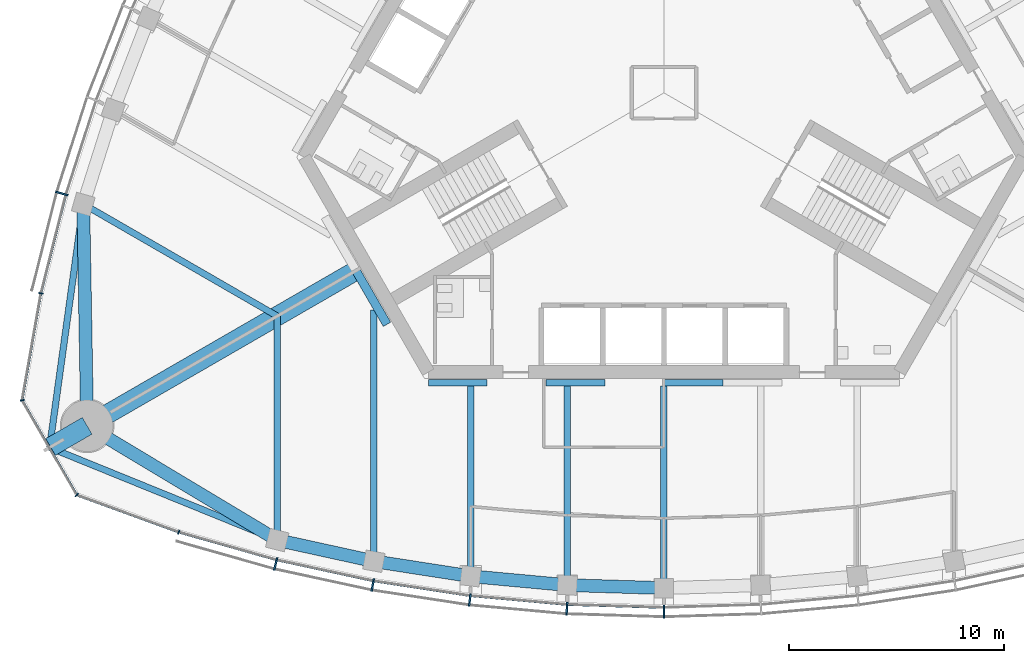
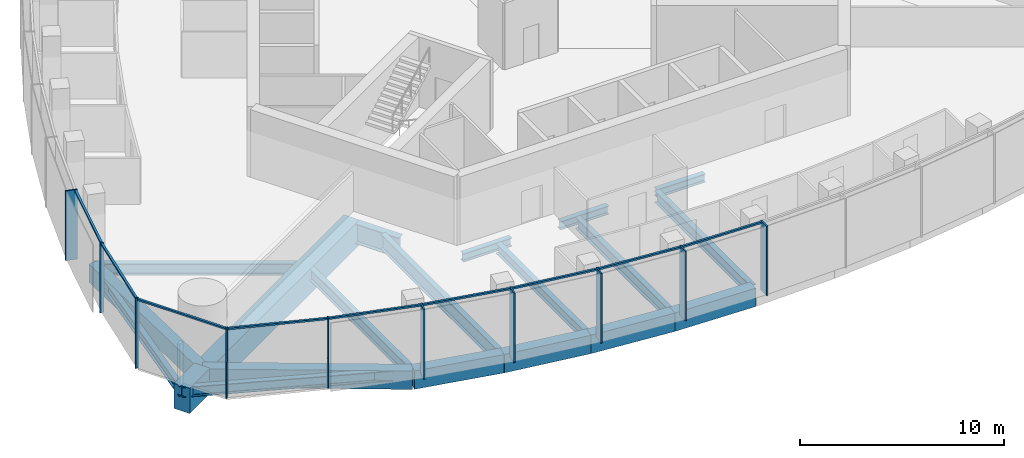
# One storey, part 2 of 16: 20 beams, 19 members, 3 elements without a shape of their own.
"""IFC4 building model written with IfcOpenShell, lengths in metres."""

from ifc_helpers import new_model, si_unit, direction, frame, origin, origin_2d, place, context, subcontext, project, spatial, rectangle, i_section, extrude, material, material_profile, profile_set, type_object, element, aggregate, save


model = new_model("IFC4")

# Units and contexts
model_context = context("Model", 3, precision=1e-05, world=origin(), true_north=direction((0.0, 1.0)))
body_context = subcontext(model_context, "Body", "Model", "MODEL_VIEW")
ifc_project = project(units=[si_unit("LENGTHUNIT", "METRE"), si_unit("AREAUNIT", "SQUARE_METRE"), si_unit("VOLUMEUNIT", "CUBIC_METRE"), si_unit("PLANEANGLEUNIT", "RADIAN"), si_unit("MASSUNIT", "GRAM", prefix="KILO")], contexts=[model_context])

# Site, building, storey
site_placement = place(None, origin())
site = spatial("IfcSite", under=ifc_project, at=site_placement, CompositionType="ELEMENT")
building_placement = place(site_placement, origin())
building = spatial("IfcBuilding", under=site, at=building_placement, Name="Trefoil Bronze Tower", CompositionType="ELEMENT")
storey_placement = place(building_placement, frame((0.0, 0.0, 301.5)))
storey = spatial("IfcBuildingStorey", under=building, at=storey_placement, Name="L69", CompositionType="ELEMENT", Elevation=301.5)

# Curtain wall, members
ifc_material_1 = material(Name="Tinted solar-control glass", Category="glass")
curtain_wall_type_1 = type_object("IfcCurtainWallType", Name="Bronze office curtain wall", PredefinedType="USERDEFINED", material=ifc_material_1)
curtain_wall_1_placement = place(storey_placement, origin())
curtain_wall_1 = element("IfcCurtainWall", 1, at=curtain_wall_1_placement, inside=storey, type_object=curtain_wall_type_1, Name="CW-A L69 F1", ObjectType="CURTAIN WALL", PredefinedType="USERDEFINED")
ifc_material_2 = material(Name="Bronze-finish aluminium", Category="aluminium")
ifc_material_profile_1 = material_profile(ifc_material_2, rectangle(XDim=0.60009765625, YDim=0.080078125, at=origin_2d()), Name="CW-A mullion")
ifc_profile_set_1 = profile_set([ifc_material_profile_1], Name="Bronze-finish aluminium")
member_type_1 = type_object("IfcMemberType", Name="Bronze office curtain wall mullion", PredefinedType="MULLION", material=ifc_profile_set_1)
member_1_placement = place(storey_placement, frame((-18.07275390625, -21.931884765625, 0.0), z_axis=(0.0, 0.0, 1.0), x_axis=(0.242394494031, 0.97017777199, 0.0)))
member_1 = element("IfcMember", 2, at=member_1_placement, type_object=member_type_1, Name="CW-A L69 F1 mullion 2", PredefinedType="MULLION", context=body_context, shape_type="SweptSolid", body=[
    extrude(rectangle(XDim=0.60009765625, YDim=0.080078125, at=origin_2d()), origin(), (0.0, 0.0, 1.0), 4.179931640625),
])
member_2_placement = place(storey_placement, frame((-13.554443359375, -22.911376953125, 0.0), z_axis=(0.0, 0.0, 1.0), x_axis=(0.181667218242, 0.983360067227, 0.0)))
member_2 = element("IfcMember", 3, at=member_2_placement, type_object=member_type_1, Name="CW-A L69 F1 mullion 3", PredefinedType="MULLION", context=body_context, shape_type="SweptSolid", body=[
    extrude(rectangle(XDim=0.60009765625, YDim=0.080078125, at=origin_2d()), origin(), (0.0, 0.0, 1.0), 4.179931640625),
])
member_3_placement = place(storey_placement, frame((-9.036376953125, -23.602783203125, 0.0), z_axis=(0.0, 0.0, 1.0), x_axis=(0.121109330868, 0.992639174109, 0.0)))
member_3 = element("IfcMember", 4, at=member_3_placement, type_object=member_type_1, Name="CW-A L69 F1 mullion 4", PredefinedType="MULLION", context=body_context, shape_type="SweptSolid", body=[
    extrude(rectangle(XDim=0.60009765625, YDim=0.080078125, at=origin_2d()), origin(), (0.0, 0.0, 1.0), 4.179931640625),
])
member_4_placement = place(storey_placement, frame((-4.51806640625, -24.014892578125, 0.0), z_axis=(0.0, 0.0, 1.0), x_axis=(0.060554040199, 0.998164920349, 0.0)))
member_4 = element("IfcMember", 5, at=member_4_placement, type_object=member_type_1, Name="CW-A L69 F1 mullion 5", PredefinedType="MULLION", context=body_context, shape_type="SweptSolid", body=[
    extrude(rectangle(XDim=0.60009765625, YDim=0.080078125, at=origin_2d()), origin(), (0.0, 0.0, 1.0), 4.179931640625),
])
member_5_placement = place(storey_placement, frame((0.0, -24.151611328125, 0.0), z_axis=(0.0, 0.0, 1.0), x_axis=(0.0, 1.0, 0.0)))
member_5 = element("IfcMember", 6, at=member_5_placement, type_object=member_type_1, Name="CW-A L69 F1 mullion 6", PredefinedType="MULLION", context=body_context, shape_type="SweptSolid", body=[
    extrude(rectangle(XDim=0.60009765625, YDim=0.080078125, at=origin_2d()), origin(), (0.0, 0.0, 1.0), 4.179931640625),
])

# Curtain wall, member
curtain_wall_2_placement = place(storey_placement, origin())
curtain_wall_2 = element("IfcCurtainWall", 7, at=curtain_wall_2_placement, inside=storey, type_object=curtain_wall_type_1, Name="CW-A L69 F3", ObjectType="CURTAIN WALL", PredefinedType="USERDEFINED")
member_6_placement = place(storey_placement, frame((-28.02978515625, -4.685546875, 0.0), z_axis=(0.0, 0.0, 1.0), x_axis=(0.961395843746, -0.275169096426, 0.0)))
member_6 = element("IfcMember", 8, at=member_6_placement, type_object=member_type_1, Name="CW-A L69 F3 mullion 10", PredefinedType="MULLION", context=body_context, shape_type="SweptSolid", body=[
    extrude(rectangle(XDim=0.60009765625, YDim=0.080078125, at=origin_2d()), origin(), (0.0, 0.0, 1.0), 4.179931640625),
])

# Member
ifc_material_3 = material(Name="Bronze-finish aluminium", Category="aluminium")
ifc_material_profile_2 = material_profile(ifc_material_3, rectangle(XDim=0.1201171875, YDim=0.10009765625, at=origin_2d()), Name="CW-A transom")
ifc_profile_set_2 = profile_set([ifc_material_profile_2], Name="Bronze-finish aluminium")
member_type_2 = type_object("IfcMemberType", Name="Bronze office curtain wall transom", PredefinedType="USERDEFINED", material=ifc_profile_set_2)
member_7_placement = place(storey_placement, frame((-22.537109375, -20.458740234375, 4.1298828125), z_axis=(0.962102611578, -0.272687668944, 0.0), x_axis=(0.272687668944, 0.962102611578, 0.0)))
member_7 = element("IfcMember", 9, at=member_7_placement, type_object=member_type_2, Name="CW-A L69 F1 transom 1", ObjectType="TRANSOM", PredefinedType="USERDEFINED", context=body_context, shape_type="SweptSolid", body=[
    extrude(rectangle(XDim=0.1201171875, YDim=0.10009765625, at=origin_2d()), origin(), (0.0, 0.0, 1.0), 4.6474609375),
])

member_8_placement = place(storey_placement, frame((-17.982177734375, -21.7470703125, 4.1298828125), z_axis=(0.977303780028, -0.211842681117, 0.0), x_axis=(0.211842681117, 0.977303780028, 0.0)))
member_8 = element("IfcMember", 10, at=member_8_placement, type_object=member_type_2, Name="CW-A L69 F1 transom 2", ObjectType="TRANSOM", PredefinedType="USERDEFINED", context=body_context, shape_type="SweptSolid", body=[
    extrude(rectangle(XDim=0.1201171875, YDim=0.10009765625, at=origin_2d()), origin(), (0.0, 0.0, 1.0), 4.524658203125),
])

member_9_placement = place(storey_placement, frame((-13.4755859375, -22.72119140625, 4.1298828125), z_axis=(0.988485016014, -0.151318779787, 0.0), x_axis=(0.151318779787, 0.988485016014, 0.0)))
member_9 = element("IfcMember", 11, at=member_9_placement, type_object=member_type_2, Name="CW-A L69 F1 transom 3", ObjectType="TRANSOM", PredefinedType="USERDEFINED", context=body_context, shape_type="SweptSolid", body=[
    extrude(rectangle(XDim=0.1201171875, YDim=0.10009765625, at=origin_2d()), origin(), (0.0, 0.0, 1.0), 4.472412109375),
])

member_10_placement = place(storey_placement, frame((-8.96923828125, -23.408203125, 4.1298828125), z_axis=(0.995868373079, -0.090808499059, 0.0), x_axis=(0.090808499059, 0.995868373079, 0.0)))
member_10 = element("IfcMember", 12, at=member_10_placement, type_object=member_type_2, Name="CW-A L69 F1 transom 4", ObjectType="TRANSOM", PredefinedType="USERDEFINED", context=body_context, shape_type="SweptSolid", body=[
    extrude(rectangle(XDim=0.1201171875, YDim=0.10009765625, at=origin_2d()), origin(), (0.0, 0.0, 1.0), 4.438720703125),
])

member_11_placement = place(storey_placement, frame((-4.463134765625, -23.81640625, 4.1298828125), z_axis=(0.99954057115, -0.030309183848, 0.0), x_axis=(0.030309183848, 0.99954057115, 0.0)))
member_11 = element("IfcMember", 13, at=member_11_placement, type_object=member_type_2, Name="CW-A L69 F1 transom 5", ObjectType="TRANSOM", PredefinedType="USERDEFINED", context=body_context, shape_type="SweptSolid", body=[
    extrude(rectangle(XDim=0.1201171875, YDim=0.10009765625, at=origin_2d()), origin(), (0.0, 0.0, 1.0), 4.422119140625),
])

aggregate(curtain_wall_1, [member_1, member_2, member_3, member_4, member_5, member_7, member_8, member_9, member_10, member_11])

member_12_placement = place(storey_placement, frame((-27.84814453125, -4.782470703125, 4.1298828125), z_axis=(-0.244908148095, -0.969546285123, 0.0), x_axis=(0.969546285123, -0.244908148095, 0.0)))
member_12 = element("IfcMember", 14, at=member_12_placement, type_object=member_type_2, Name="CW-A L69 F3 transom 10", ObjectType="TRANSOM", PredefinedType="USERDEFINED", context=body_context, shape_type="SweptSolid", body=[
    extrude(rectangle(XDim=0.1201171875, YDim=0.10009765625, at=origin_2d()), origin(), (0.0, 0.0, 1.0), 4.6474609375),
])

aggregate(curtain_wall_2, [member_6, member_12])

# Curtain wall, members
ifc_material_4 = material(Name="Tinted solar-control glass", Category="glass")
curtain_wall_type_2 = type_object("IfcCurtainWallType", Name="Bronze rounded corner curtain wall", PredefinedType="USERDEFINED", material=ifc_material_4)
curtain_wall_3_placement = place(storey_placement, origin())
curtain_wall_3 = element("IfcCurtainWall", 15, at=curtain_wall_3_placement, inside=storey, type_object=curtain_wall_type_2, Name="CW-B L69 K3", ObjectType="CURTAIN WALL", PredefinedType="USERDEFINED")
ifc_material_5 = material(Name="Bronze-finish aluminium", Category="aluminium")
ifc_material_profile_3 = material_profile(ifc_material_5, rectangle(XDim=0.199951171875, YDim=0.06005859375, at=origin_2d()), Name="CW-B mullion")
ifc_profile_set_3 = profile_set([ifc_material_profile_3], Name="Bronze-finish aluminium")
member_type_3 = type_object("IfcMemberType", Name="Bronze rounded corner curtain wall mullion", PredefinedType="MULLION", material=ifc_profile_set_3)
member_13_placement = place(storey_placement, frame((-28.99755859375, -9.334228515625, 0.0), z_axis=(0.0, 0.0, 1.0), x_axis=(0.984807753012, -0.173648177667, 0.0)))
member_13 = element("IfcMember", 16, at=member_13_placement, type_object=member_type_3, Name="CW-B L69 K3 mullion 1", PredefinedType="MULLION", context=body_context, shape_type="SweptSolid", body=[
    extrude(rectangle(XDim=0.199951171875, YDim=0.06005859375, at=origin_2d()), origin(), (0.0, 0.0, 1.0), 4.179931640625),
])
member_14_placement = place(storey_placement, frame((-29.86865234375, -14.30908203125, 0.0), z_axis=(0.0, 0.0, 1.0), x_axis=(0.984807753012, 0.173648177667, 0.0)))
member_14 = element("IfcMember", 17, at=member_14_placement, type_object=member_type_3, Name="CW-B L69 K3 mullion 2", PredefinedType="MULLION", context=body_context, shape_type="SweptSolid", body=[
    extrude(rectangle(XDim=0.199951171875, YDim=0.06005859375, at=origin_2d()), origin(), (0.0, 0.0, 1.0), 4.179931640625),
])
member_15_placement = place(storey_placement, frame((-27.326416015625, -18.712646484375, 0.0), z_axis=(0.0, 0.0, 1.0), x_axis=(0.642787609687, 0.766044443119, 0.0)))
member_15 = element("IfcMember", 18, at=member_15_placement, type_object=member_type_3, Name="CW-B L69 K3 mullion 3", PredefinedType="MULLION", context=body_context, shape_type="SweptSolid", body=[
    extrude(rectangle(XDim=0.199951171875, YDim=0.06005859375, at=origin_2d()), origin(), (0.0, 0.0, 1.0), 4.179931640625),
])
member_16_placement = place(storey_placement, frame((-22.58251953125, -20.445556640625, 0.0), z_axis=(0.0, 0.0, 1.0), x_axis=(0.342020143326, 0.939692620786, 0.0)))
member_16 = element("IfcMember", 19, at=member_16_placement, type_object=member_type_3, Name="CW-B L69 K3 mullion 4", PredefinedType="MULLION", context=body_context, shape_type="SweptSolid", body=[
    extrude(rectangle(XDim=0.199951171875, YDim=0.06005859375, at=origin_2d()), origin(), (0.0, 0.0, 1.0), 4.179931640625),
])
ifc_material_6 = material(Name="Bronze-finish aluminium", Category="aluminium")
ifc_material_profile_4 = material_profile(ifc_material_6, rectangle(XDim=0.1201171875, YDim=0.10009765625, at=origin_2d()), Name="CW-B transom")
ifc_profile_set_4 = profile_set([ifc_material_profile_4], Name="Bronze-finish aluminium")
member_type_4 = type_object("IfcMemberType", Name="Bronze rounded corner curtain wall transom", PredefinedType="USERDEFINED", material=ifc_profile_set_4)
member_17_placement = place(storey_placement, frame((-29.0029296875, -9.36376953125, 4.1298828125), z_axis=(-0.173633591509, -0.984810324834, 0.0), x_axis=(0.984810324834, -0.173633591509, 0.0)))
member_17 = element("IfcMember", 20, at=member_17_placement, type_object=member_type_4, Name="CW-B L69 K3 transom 1", ObjectType="TRANSOM", PredefinedType="USERDEFINED", context=body_context, shape_type="SweptSolid", body=[
    extrude(rectangle(XDim=0.1201171875, YDim=0.10009765625, at=origin_2d()), origin(), (0.0, 0.0, 1.0), 4.956298828125),
])
member_18_placement = place(storey_placement, frame((-29.841796875, -14.36767578125, 4.1298828125), z_axis=(0.499985403706, -0.866033830794, 0.0), x_axis=(0.866033830794, 0.499985403706, 0.0)))
member_18 = element("IfcMember", 21, at=member_18_placement, type_object=member_type_4, Name="CW-B L69 K3 transom 2", ObjectType="TRANSOM", PredefinedType="USERDEFINED", context=body_context, shape_type="SweptSolid", body=[
    extrude(rectangle(XDim=0.1201171875, YDim=0.10009765625, at=origin_2d()), origin(), (0.0, 0.0, 1.0), 4.956298828125),
])
member_19_placement = place(storey_placement, frame((-27.26806640625, -18.740234375, 4.1298828125), z_axis=(0.93969990549, -0.342000128103, 0.0), x_axis=(0.342000128103, 0.93969990549, 0.0)))
member_19 = element("IfcMember", 22, at=member_19_placement, type_object=member_type_4, Name="CW-B L69 K3 transom 3", ObjectType="TRANSOM", PredefinedType="USERDEFINED", context=body_context, shape_type="SweptSolid", body=[
    extrude(rectangle(XDim=0.1201171875, YDim=0.10009765625, at=origin_2d()), origin(), (0.0, 0.0, 1.0), 4.956298828125),
])
aggregate(curtain_wall_3, [member_13, member_14, member_15, member_16, member_17, member_18, member_19])

# Beams
ifc_material_7 = material(Name="Steel C355", Category="steel")
ifc_material_profile_5 = material_profile(ifc_material_7, i_section(OverallWidth=0.300048828125, OverallDepth=0.5, WebThickness=0.014404296875, FlangeThickness=0.028076171875, FilletRadius=0.027099609375, at=origin_2d()), Name="HEB 500")
ifc_profile_set_5 = profile_set([ifc_material_profile_5], Name="Steel C355")
beam_type_1 = type_object("IfcBeamType", Name="Core seat beam HEB 500", PredefinedType="BEAM", material=ifc_profile_set_5)
for number, where, z_axis, x_axis, name in (
    (23, (-10.9697265625, -13.5, -0.449951171875), (1.0, 0.0, 0.0), (0.0, 1.0, 0.0), "Core seat beam F1/-2 L69"),
    (24, (-5.48486328125, -13.5, -0.449951171875), (1.0, 0.0, 0.0), (0.0, 1.0, 0.0), "Core seat beam F1/-1 L69"),
    (25, (0.0, -13.5, -0.449951171875), (1.0, 0.0, 0.0), (0.0, 1.0, 0.0), "Core seat beam F1/+0 L69"),
):
    element("IfcBeam", number, at=place(storey_placement, frame(where, z_axis=z_axis, x_axis=x_axis)), inside=storey, type_object=beam_type_1, Name=name, PredefinedType="BEAM", context=body_context, shape_type="SweptSolid", body=[
        extrude(i_section(OverallWidth=0.300048828125, OverallDepth=0.5, WebThickness=0.014404296875, FlangeThickness=0.028076171875, FilletRadius=0.027099609375, at=origin_2d()), origin(), (0.0, 0.0, 1.0), 2.742431640625),
    ])
ifc_material_8 = material(Name="Steel C355", Category="steel")
ifc_material_profile_6 = material_profile(ifc_material_8, i_section(OverallWidth=0.39990234375, OverallDepth=1.199951171875, WebThickness=0.02001953125, FlangeThickness=0.0400390625, FilletRadius=0.010009765625, at=origin_2d()), Name="WPG 1200")
ifc_profile_set_6 = profile_set([ifc_material_profile_6], Name="Steel C355")
beam_type_2 = type_object("IfcBeamType", Name="Core seat beam WPG 1200", PredefinedType="BEAM", material=ifc_profile_set_6)
beam_1_placement = place(storey_placement, frame((-14.332763671875, -8.27490234375, -0.800048828125), z_axis=(0.499995765644, -0.866027848477, 0.0), x_axis=(0.866027848477, 0.499995765644, 0.0)))
element("IfcBeam", 26, at=beam_1_placement, inside=storey, type_object=beam_type_2, Name="Core seat beam F1/-3 L69", PredefinedType="BEAM", context=body_context, shape_type="SweptSolid", body=[
    extrude(i_section(OverallWidth=0.39990234375, OverallDepth=1.199951171875, WebThickness=0.02001953125, FlangeThickness=0.0400390625, FilletRadius=0.010009765625, at=origin_2d()), origin(), (0.0, 0.0, 1.0), 2.88671875),
])
ifc_material_9 = material(Name="Concrete B80", Category="concrete")
ifc_material_profile_7 = material_profile(ifc_material_9, rectangle(XDim=0.89990234375, YDim=1.5, at=origin_2d()), Name="RC 900x1500")
ifc_profile_set_7 = profile_set([ifc_material_profile_7], Name="Concrete B80")
beam_type_3 = type_object("IfcBeamType", Name="Corner cantilever RC 900x1500", PredefinedType="BEAM", material=ifc_profile_set_7)
beam_2_placement = place(storey_placement, frame((-26.8466796875, -15.5, -0.949951171875), z_axis=(-0.866010470582, -0.500025864173, 0.0), x_axis=(0.500025864173, -0.866010470582, 0.0)))
element("IfcBeam", 27, at=beam_2_placement, inside=storey, type_object=beam_type_3, Name="Corner cantilever K3 L69", PredefinedType="BEAM", context=body_context, shape_type="SweptSolid", body=[
    extrude(rectangle(XDim=0.89990234375, YDim=1.5, at=origin_2d()), origin(), (0.0, 0.0, 1.0), 2.02001953125),
])
ifc_material_10 = material(Name="Steel C355", Category="steel")
ifc_material_profile_8 = material_profile(ifc_material_10, i_section(OverallWidth=0.300048828125, OverallDepth=0.60009765625, WebThickness=0.015380859375, FlangeThickness=0.030029296875, FilletRadius=0.027099609375, at=origin_2d()), Name="HEB 600")
ifc_profile_set_8 = profile_set([ifc_material_profile_8], Name="Steel C355")
beam_type_4 = type_object("IfcBeamType", Name="Corner edge beam HEB 600", PredefinedType="BEAM", material=ifc_profile_set_8)
beam_3_placement = place(storey_placement, frame((-18.0, -20.816162109375, -0.5), z_axis=(-0.926419351914, 0.376493272714, 0.0), x_axis=(-0.376493272714, -0.926419351914, 0.0)))
element("IfcBeam", 28, at=beam_3_placement, inside=storey, type_object=beam_type_4, Name="Corner edge beam F1B L69", PredefinedType="BEAM", context=body_context, shape_type="SweptSolid", body=[
    extrude(i_section(OverallWidth=0.300048828125, OverallDepth=0.60009765625, WebThickness=0.015380859375, FlangeThickness=0.030029296875, FilletRadius=0.027099609375, at=origin_2d()), origin(), (0.0, 0.0, 1.0), 11.4375),
])
beam_4_placement = place(storey_placement, frame((-27.02734375, -5.180419921875, -0.5), z_axis=(-0.137143714313, -0.990551160529, 0.0), x_axis=(0.990551160529, -0.137143714313, 0.0)))
element("IfcBeam", 29, at=beam_4_placement, inside=storey, type_object=beam_type_4, Name="Corner edge beam F3A L69", PredefinedType="BEAM", context=body_context, shape_type="SweptSolid", body=[
    extrude(i_section(OverallWidth=0.300048828125, OverallDepth=0.60009765625, WebThickness=0.015380859375, FlangeThickness=0.030029296875, FilletRadius=0.027099609375, at=origin_2d()), origin(), (0.0, 0.0, 1.0), 11.437744140625),
])
ifc_material_11 = material(Name="Concrete B80", Category="concrete")
ifc_material_profile_9 = material_profile(ifc_material_11, rectangle(XDim=0.89990234375, YDim=1.5, at=origin_2d()), Name="RC 900x1500")
ifc_profile_set_9 = profile_set([ifc_material_profile_9], Name="Concrete B80")
beam_type_5 = type_object("IfcBeamType", Name="Corner girder RC 900x1500", PredefinedType="BEAM", material=ifc_profile_set_9)
beam_5_placement = place(storey_placement, frame((-14.159423828125, -8.175048828125, -0.949951171875), z_axis=(-0.866026568746, -0.499997982221, 0.0), x_axis=(0.499997982221, -0.866026568746, 0.0)))
element("IfcBeam", 30, at=beam_5_placement, inside=storey, type_object=beam_type_5, Name="Corner girder K3 L69", PredefinedType="BEAM", context=body_context, shape_type="SweptSolid", body=[
    extrude(rectangle(XDim=0.89990234375, YDim=1.5, at=origin_2d()), origin(), (0.0, 0.0, 1.0), 14.64990234375),
])
ifc_material_12 = material(Name="Concrete B80", Category="concrete")
ifc_material_profile_10 = material_profile(ifc_material_12, rectangle(XDim=0.60009765625, YDim=1.10009765625, at=origin_2d()), Name="RC 600x1100")
ifc_profile_set_10 = profile_set([ifc_material_profile_10], Name="Concrete B80")
beam_type_6 = type_object("IfcBeamType", Name="End spandrel beam RC 600x1100", PredefinedType="SPANDREL", material=ifc_profile_set_10)
for number, where, z_axis, x_axis, name in (
    (31, (-26.8466796875, -15.5, -0.75), (0.857144173035, -0.515076563855, 0.0), (0.515076563855, 0.857144173035, 0.0), "Spandrel F1.1 L69"),
    (32, (-27.02734375, -5.180419921875, -0.75), (0.017504237714, -0.999846789094, 0.0), (0.999846789094, 0.017504237714, 0.0), "Spandrel F3.10 L69"),
):
    element("IfcBeam", number, at=place(storey_placement, frame(where, z_axis=z_axis, x_axis=x_axis)), inside=storey, type_object=beam_type_6, Name=name, PredefinedType="SPANDREL", context=body_context, shape_type="SweptSolid", body=[
        extrude(rectangle(XDim=0.60009765625, YDim=1.10009765625, at=origin_2d()), origin(), (0.0, 0.0, 1.0), 10.321044921875),
    ])
ifc_material_13 = material(Name="Steel C355", Category="steel")
ifc_material_profile_11 = material_profile(ifc_material_13, i_section(OverallWidth=0.300048828125, OverallDepth=0.60009765625, WebThickness=0.015380859375, FlangeThickness=0.030029296875, FilletRadius=0.027099609375, at=origin_2d()), Name="HEB 600")
ifc_profile_set_11 = profile_set([ifc_material_profile_11], Name="Steel C355")
beam_type_7 = type_object("IfcBeamType", Name="Floor beam HEB 600", PredefinedType="BEAM", material=ifc_profile_set_11)
beam_6_placement = place(storey_placement, frame((-9.0, -22.499267578125, -0.5), z_axis=(0.0, 1.0, 0.0), x_axis=(-1.0, 0.0, 0.0)))
element("IfcBeam", 33, at=beam_6_placement, inside=storey, type_object=beam_type_7, Name="Floor beam F1/-2 L69", PredefinedType="BEAM", context=body_context, shape_type="SweptSolid", body=[
    extrude(i_section(OverallWidth=0.300048828125, OverallDepth=0.60009765625, WebThickness=0.015380859375, FlangeThickness=0.030029296875, FilletRadius=0.027099609375, at=origin_2d()), origin(), (0.0, 0.0, 1.0), 8.849365234375),
])
ifc_material_14 = material(Name="Steel C355", Category="steel")
ifc_material_profile_12 = material_profile(ifc_material_14, i_section(OverallWidth=0.300048828125, OverallDepth=0.699951171875, WebThickness=0.01708984375, FlangeThickness=0.031982421875, FilletRadius=0.027099609375, at=origin_2d()), Name="HEB 700")
ifc_profile_set_12 = profile_set([ifc_material_profile_12], Name="Steel C355")
beam_type_8 = type_object("IfcBeamType", Name="Floor beam HEB 700", PredefinedType="BEAM", material=ifc_profile_set_12)
beam_7_placement = place(storey_placement, frame((-18.0, -20.816162109375, -0.550048828125), z_axis=(0.0, 1.0, 0.0), x_axis=(-1.0, 0.0, 0.0)))
element("IfcBeam", 34, at=beam_7_placement, inside=storey, type_object=beam_type_8, Name="Floor beam F1/-4 L69", PredefinedType="BEAM", context=body_context, shape_type="SweptSolid", body=[
    extrude(i_section(OverallWidth=0.300048828125, OverallDepth=0.699951171875, WebThickness=0.01708984375, FlangeThickness=0.031982421875, FilletRadius=0.027099609375, at=origin_2d()), origin(), (0.0, 0.0, 1.0), 10.423828125),
])
beam_8_placement = place(storey_placement, frame((-4.5, -22.913818359375, -0.550048828125), z_axis=(0.0, 1.0, 0.0), x_axis=(-1.0, 0.0, 0.0)))
element("IfcBeam", 35, at=beam_8_placement, inside=storey, type_object=beam_type_8, Name="Floor beam F1/-1 L69", PredefinedType="BEAM", context=body_context, shape_type="SweptSolid", body=[
    extrude(i_section(OverallWidth=0.300048828125, OverallDepth=0.699951171875, WebThickness=0.01708984375, FlangeThickness=0.031982421875, FilletRadius=0.027099609375, at=origin_2d()), origin(), (0.0, 0.0, 1.0), 9.263916015625),
])
beam_9_placement = place(storey_placement, frame((0.0, -23.051513671875, -0.550048828125), z_axis=(0.0, 1.0, 0.0), x_axis=(-1.0, 0.0, 0.0)))
element("IfcBeam", 36, at=beam_9_placement, inside=storey, type_object=beam_type_8, Name="Floor beam F1/+0 L69", PredefinedType="BEAM", context=body_context, shape_type="SweptSolid", body=[
    extrude(i_section(OverallWidth=0.300048828125, OverallDepth=0.699951171875, WebThickness=0.01708984375, FlangeThickness=0.031982421875, FilletRadius=0.027099609375, at=origin_2d()), origin(), (0.0, 0.0, 1.0), 9.401611328125),
])
beam_10_placement = place(storey_placement, frame((-27.02734375, -5.180419921875, -0.550048828125), z_axis=(0.866026453994, -0.499998180979, 0.0), x_axis=(0.499998180979, 0.866026453994, 0.0)))
element("IfcBeam", 37, at=beam_10_placement, inside=storey, type_object=beam_type_8, Name="Floor beam F3/+4 L69", PredefinedType="BEAM", context=body_context, shape_type="SweptSolid", body=[
    extrude(i_section(OverallWidth=0.300048828125, OverallDepth=0.699951171875, WebThickness=0.01708984375, FlangeThickness=0.031982421875, FilletRadius=0.027099609375, at=origin_2d()), origin(), (0.0, 0.0, 1.0), 10.423828125),
])
ifc_material_15 = material(Name="Steel C355", Category="steel")
ifc_material_profile_13 = material_profile(ifc_material_15, i_section(OverallWidth=0.300048828125, OverallDepth=0.89990234375, WebThickness=0.0185546875, FlangeThickness=0.034912109375, FilletRadius=0.030029296875, at=origin_2d()), Name="HEB 900")
ifc_profile_set_13 = profile_set([ifc_material_profile_13], Name="Steel C355")
beam_type_9 = type_object("IfcBeamType", Name="Floor beam HEB 900", PredefinedType="BEAM", material=ifc_profile_set_13)
beam_11_placement = place(storey_placement, frame((-13.5, -21.802734375, -0.64990234375), z_axis=(0.0, 1.0, 0.0), x_axis=(-1.0, 0.0, 0.0)))
element("IfcBeam", 38, at=beam_11_placement, inside=storey, type_object=beam_type_9, Name="Floor beam F1/-3 L69", PredefinedType="BEAM", context=body_context, shape_type="SweptSolid", body=[
    extrude(i_section(OverallWidth=0.300048828125, OverallDepth=0.89990234375, WebThickness=0.0185546875, FlangeThickness=0.034912109375, FilletRadius=0.030029296875, at=origin_2d()), origin(), (0.0, 0.0, 1.0), 11.685302734375),
])
ifc_material_16 = material(Name="Concrete B80", Category="concrete")
ifc_material_profile_14 = material_profile(ifc_material_16, rectangle(XDim=0.60009765625, YDim=1.10009765625, at=origin_2d()), Name="RC 600x1100")
ifc_profile_set_14 = profile_set([ifc_material_profile_14], Name="Concrete B80")
beam_type_10 = type_object("IfcBeamType", Name="Spandrel beam RC 600x1100", PredefinedType="SPANDREL", material=ifc_profile_set_14)
beam_12_placement = place(storey_placement, frame((-18.0, -20.816162109375, -0.75), z_axis=(0.976800342355, -0.214152028182, 0.0), x_axis=(0.214152028182, 0.976800342355, 0.0)))
element("IfcBeam", 39, at=beam_12_placement, inside=storey, type_object=beam_type_10, Name="Spandrel F1.2 L69", PredefinedType="SPANDREL", context=body_context, shape_type="SweptSolid", body=[
    extrude(rectangle(XDim=0.60009765625, YDim=1.10009765625, at=origin_2d()), origin(), (0.0, 0.0, 1.0), 4.60693359375),
])
beam_13_placement = place(storey_placement, frame((-13.5, -21.802734375, -0.75), z_axis=(0.988231820946, -0.152963616816, 0.0), x_axis=(0.152963616816, 0.988231820946, 0.0)))
element("IfcBeam", 40, at=beam_13_placement, inside=storey, type_object=beam_type_10, Name="Spandrel F1.3 L69", PredefinedType="SPANDREL", context=body_context, shape_type="SweptSolid", body=[
    extrude(rectangle(XDim=0.60009765625, YDim=1.10009765625, at=origin_2d()), origin(), (0.0, 0.0, 1.0), 4.553466796875),
])
beam_14_placement = place(storey_placement, frame((-9.0, -22.499267578125, -0.75), z_axis=(0.995783550481, -0.091733966402, 0.0), x_axis=(0.091733966402, 0.995783550481, 0.0)))
element("IfcBeam", 41, at=beam_14_placement, inside=storey, type_object=beam_type_10, Name="Spandrel F1.4 L69", PredefinedType="SPANDREL", context=body_context, shape_type="SweptSolid", body=[
    extrude(rectangle(XDim=0.60009765625, YDim=1.10009765625, at=origin_2d()), origin(), (0.0, 0.0, 1.0), 4.51904296875),
])
beam_15_placement = place(storey_placement, frame((-4.5, -22.913818359375, -0.75), z_axis=(0.999532180362, -0.03058464354, 0.0), x_axis=(0.03058464354, 0.999532180362, 0.0)))
element("IfcBeam", 42, at=beam_15_placement, inside=storey, type_object=beam_type_10, Name="Spandrel F1.5 L69", PredefinedType="SPANDREL", context=body_context, shape_type="SweptSolid", body=[
    extrude(rectangle(XDim=0.60009765625, YDim=1.10009765625, at=origin_2d()), origin(), (0.0, 0.0, 1.0), 4.502197265625),
])

save(model, "model.ifc")
